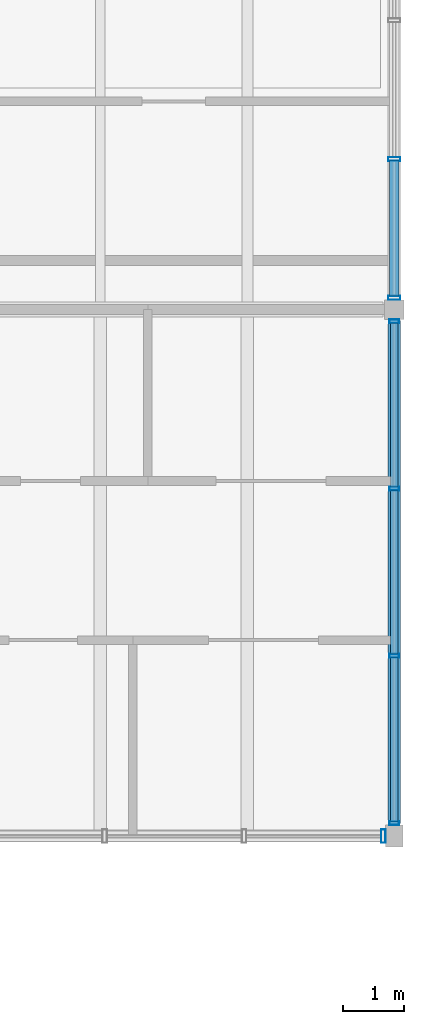
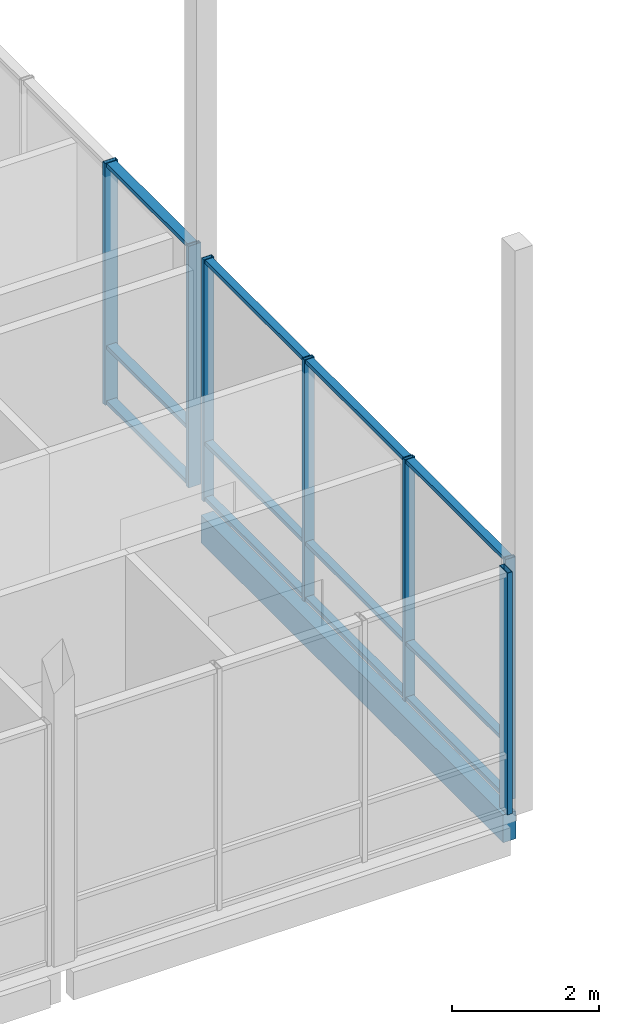
# One storey, part 65 of 115: 19 members, 1 beam, 3 elements without a shape of their own.
"""IFC4 building model written with IfcOpenShell, lengths in metres."""

from ifc_helpers import new_model, si_unit, direction, frame, origin, origin_2d, place, context, subcontext, project, spatial, rectangle, hollow_rectangle, extrude, material, material_profile, profile_set, type_object, element, aggregate, save


model = new_model("IFC4")

# Units and contexts
model_context = context("Model", 3, precision=1e-05, world=origin(), true_north=direction((0.0, 1.0)))
body_context = subcontext(model_context, "Body", "Model", "MODEL_VIEW")
ifc_project = project(units=[si_unit("LENGTHUNIT", "METRE"), si_unit("AREAUNIT", "SQUARE_METRE"), si_unit("VOLUMEUNIT", "CUBIC_METRE"), si_unit("PLANEANGLEUNIT", "RADIAN"), si_unit("MASSUNIT", "GRAM", prefix="KILO")], contexts=[model_context])

# Site, building, storey
site_placement = place(None, origin())
site = spatial("IfcSite", under=ifc_project, at=site_placement, CompositionType="ELEMENT")
building_placement = place(site_placement, origin())
building = spatial("IfcBuilding", under=site, at=building_placement, Name="Hawrajan Terrace Health Centre", CompositionType="ELEMENT")
storey_placement = place(building_placement, frame((0.0, 0.0, 9.0)))
storey = spatial("IfcBuildingStorey", under=building, at=storey_placement, Name="L02", CompositionType="ELEMENT", Elevation=9.0)

# Curtain wall, members
ifc_material_1 = material(Name="Anodized bronze aluminium and low-E solar glazing", Category="aluminium")
curtain_wall_type_1 = type_object("IfcCurtainWallType", Name="CW_Pavilion_SeriesE1", PredefinedType="USERDEFINED", material=ifc_material_1)
curtain_wall_1_placement = place(storey_placement, origin())
curtain_wall_1 = element("IfcCurtainWall", 1, at=curtain_wall_1_placement, inside=storey, type_object=curtain_wall_type_1, Name="Curtain wall CW-L02-156", ObjectType="UNITISED CURTAIN WALL", PredefinedType="USERDEFINED")
ifc_material_2 = material(Name="Anodized bronze aluminium 6063-T6", Category="aluminium")
ifc_material_profile_1 = material_profile(ifc_material_2, hollow_rectangle(XDim=0.06494140625, YDim=0.159912109375, WallThickness=0.00390625, at=origin_2d()), Name="CW MUL 65x160")
ifc_profile_set_1 = profile_set([ifc_material_profile_1], Name="Anodized bronze aluminium 6063-T6")
member_type_1 = type_object("IfcMemberType", Name="CWMullion_65x160", PredefinedType="MULLION", material=ifc_profile_set_1)
member_1_placement = place(storey_placement, frame((165.39990234375, 37.012451171875, -0.0048828125), z_axis=(0.0, 0.0, 1.0), x_axis=(0.0, 1.0, 0.0)))
member_1 = element("IfcMember", 2, at=member_1_placement, type_object=member_type_1, Name="Mullion CW-L02-156-M1", PredefinedType="MULLION", context=body_context, shape_type="SweptSolid", body=[
    extrude(hollow_rectangle(XDim=0.06494140625, YDim=0.159912109375, WallThickness=0.00390625, at=origin_2d()), origin(), (0.0, 0.0, 1.0), 4.009765625),
])
member_2_placement = place(storey_placement, frame((165.39990234375, 39.744140625, -0.0048828125), z_axis=(0.0, 0.0, 1.0), x_axis=(0.0, 1.0, 0.0)))
member_2 = element("IfcMember", 3, at=member_2_placement, type_object=member_type_1, Name="Mullion CW-L02-156-M2", PredefinedType="MULLION", context=body_context, shape_type="SweptSolid", body=[
    extrude(hollow_rectangle(XDim=0.06494140625, YDim=0.159912109375, WallThickness=0.00390625, at=origin_2d()), origin(), (0.0, 0.0, 1.0), 4.009765625),
])
member_3_placement = place(storey_placement, frame((165.39990234375, 42.475830078125, -0.0048828125), z_axis=(0.0, 0.0, 1.0), x_axis=(0.0, 1.0, 0.0)))
member_3 = element("IfcMember", 4, at=member_3_placement, type_object=member_type_1, Name="Mullion CW-L02-156-M3", PredefinedType="MULLION", context=body_context, shape_type="SweptSolid", body=[
    extrude(hollow_rectangle(XDim=0.06494140625, YDim=0.159912109375, WallThickness=0.00390625, at=origin_2d()), origin(), (0.0, 0.0, 1.0), 4.009765625),
])
member_4_placement = place(storey_placement, frame((165.39990234375, 45.20751953125, -0.0048828125), z_axis=(0.0, 0.0, 1.0), x_axis=(0.0, 1.0, 0.0)))
member_4 = element("IfcMember", 5, at=member_4_placement, type_object=member_type_1, Name="Mullion CW-L02-156-M4", PredefinedType="MULLION", context=body_context, shape_type="SweptSolid", body=[
    extrude(hollow_rectangle(XDim=0.06494140625, YDim=0.159912109375, WallThickness=0.00390625, at=origin_2d()), origin(), (0.0, 0.0, 1.0), 4.009765625),
])

curtain_wall_type_2 = type_object("IfcCurtainWallType", Name="CW_Pavilion_SeriesE2", PredefinedType="USERDEFINED", material=ifc_material_1)
curtain_wall_2_placement = place(storey_placement, origin())
curtain_wall_2 = element("IfcCurtainWall", 6, at=curtain_wall_2_placement, inside=storey, type_object=curtain_wall_type_2, Name="Curtain wall CW-L02-157", ObjectType="UNITISED CURTAIN WALL", PredefinedType="USERDEFINED")
ifc_material_profile_2 = material_profile(ifc_material_2, hollow_rectangle(XDim=0.06494140625, YDim=0.199951171875, WallThickness=0.00439453125, at=origin_2d()), Name="CW MUL 65x200")
ifc_profile_set_2 = profile_set([ifc_material_profile_2], Name="Anodized bronze aluminium 6063-T6")
member_type_2 = type_object("IfcMemberType", Name="CWMullion_65x200", PredefinedType="MULLION", material=ifc_profile_set_2)
member_5_placement = place(storey_placement, frame((165.39990234375, 45.592529296875, -0.0048828125), z_axis=(0.0, 0.0, 1.0), x_axis=(0.0, 1.0, 0.0)))
member_5 = element("IfcMember", 7, at=member_5_placement, type_object=member_type_2, Name="Mullion CW-L02-157-M1", PredefinedType="MULLION", context=body_context, shape_type="SweptSolid", body=[
    extrude(hollow_rectangle(XDim=0.06494140625, YDim=0.199951171875, WallThickness=0.00439453125, at=origin_2d()), origin(), (0.0, 0.0, 1.0), 4.009765625),
])
member_6_placement = place(storey_placement, frame((165.39990234375, 47.857421875, -0.0048828125), z_axis=(0.0, 0.0, 1.0), x_axis=(0.0, 1.0, 0.0)))
member_6 = element("IfcMember", 8, at=member_6_placement, type_object=member_type_2, Name="Mullion CW-L02-157-M2", PredefinedType="MULLION", context=body_context, shape_type="SweptSolid", body=[
    extrude(hollow_rectangle(XDim=0.06494140625, YDim=0.199951171875, WallThickness=0.00439453125, at=origin_2d()), origin(), (0.0, 0.0, 1.0), 4.009765625),
])

# Curtain wall, member
curtain_wall_type_3 = type_object("IfcCurtainWallType", Name="CW_Hall_SeriesD2", PredefinedType="USERDEFINED", material=ifc_material_1)
curtain_wall_3_placement = place(storey_placement, origin())
curtain_wall_3 = element("IfcCurtainWall", 9, at=curtain_wall_3_placement, inside=storey, type_object=curtain_wall_type_3, Name="Curtain wall CW-L02-155", ObjectType="UNITISED CURTAIN WALL", PredefinedType="USERDEFINED")
ifc_material_profile_3 = material_profile(ifc_material_2, hollow_rectangle(XDim=0.074951171875, YDim=0.219970703125, WallThickness=0.0048828125, at=origin_2d()), Name="CW MUL 75x220")
ifc_profile_set_3 = profile_set([ifc_material_profile_3], Name="Anodized bronze aluminium 6063-T6")
member_type_3 = type_object("IfcMemberType", Name="CWMullion_75x220", PredefinedType="MULLION", material=ifc_profile_set_3)
member_7_placement = place(storey_placement, frame((165.222412109375, 36.800048828125, -0.0048828125), z_axis=(0.0, 0.0, 1.0), x_axis=(1.0, 0.0, 0.0)))
member_7 = element("IfcMember", 10, at=member_7_placement, type_object=member_type_3, Name="Mullion CW-L02-155-M4", PredefinedType="MULLION", context=body_context, shape_type="SweptSolid", body=[
    extrude(hollow_rectangle(XDim=0.074951171875, YDim=0.219970703125, WallThickness=0.0048828125, at=origin_2d()), origin(), (0.0, 0.0, 1.0), 4.009765625),
])
aggregate(curtain_wall_3, [member_7])

# Member
ifc_material_profile_4 = material_profile(ifc_material_2, hollow_rectangle(XDim=0.06494140625, YDim=0.1201171875, WallThickness=0.00341796875, at=origin_2d()), Name="CW TRN 65x120")
ifc_profile_set_4 = profile_set([ifc_material_profile_4], Name="Anodized bronze aluminium 6063-T6")
member_type_4 = type_object("IfcMemberType", Name="CWTransom_65x120", PredefinedType="USERDEFINED", material=ifc_profile_set_4)
member_8_placement = place(storey_placement, frame((165.39990234375, 37.0390625, 0.032470703125), z_axis=(0.0, 1.0, 0.0), x_axis=(0.0, 0.0, 1.0)))
member_8 = element("IfcMember", 11, at=member_8_placement, type_object=member_type_4, Name="Transom CW-L02-156-T1-1", ObjectType="TRANSOM", PredefinedType="USERDEFINED", context=body_context, shape_type="SweptSolid", body=[
    extrude(hollow_rectangle(XDim=0.06494140625, YDim=0.1201171875, WallThickness=0.00341796875, at=origin_2d()), origin(), (0.0, 0.0, 1.0), 2.6787109375),
])

member_9_placement = place(storey_placement, frame((165.39990234375, 37.0390625, 0.949951171875), z_axis=(0.0, 1.0, 0.0), x_axis=(0.0, 0.0, 1.0)))
member_9 = element("IfcMember", 12, at=member_9_placement, type_object=member_type_4, Name="Transom CW-L02-156-T1-2", ObjectType="TRANSOM", PredefinedType="USERDEFINED", context=body_context, shape_type="SweptSolid", body=[
    extrude(hollow_rectangle(XDim=0.06494140625, YDim=0.1201171875, WallThickness=0.00341796875, at=origin_2d()), origin(), (0.0, 0.0, 1.0), 2.6787109375),
])

member_10_placement = place(storey_placement, frame((165.39990234375, 37.0390625, 3.967529296875), z_axis=(0.0, 1.0, 0.0), x_axis=(0.0, 0.0, 1.0)))
member_10 = element("IfcMember", 13, at=member_10_placement, type_object=member_type_4, Name="Transom CW-L02-156-T1-3", ObjectType="TRANSOM", PredefinedType="USERDEFINED", context=body_context, shape_type="SweptSolid", body=[
    extrude(hollow_rectangle(XDim=0.06494140625, YDim=0.1201171875, WallThickness=0.00341796875, at=origin_2d()), origin(), (0.0, 0.0, 1.0), 2.6787109375),
])

member_11_placement = place(storey_placement, frame((165.39990234375, 39.770751953125, 0.032470703125), z_axis=(0.0, 1.0, 0.0), x_axis=(0.0, 0.0, 1.0)))
member_11 = element("IfcMember", 14, at=member_11_placement, type_object=member_type_4, Name="Transom CW-L02-156-T2-1", ObjectType="TRANSOM", PredefinedType="USERDEFINED", context=body_context, shape_type="SweptSolid", body=[
    extrude(hollow_rectangle(XDim=0.06494140625, YDim=0.1201171875, WallThickness=0.00341796875, at=origin_2d()), origin(), (0.0, 0.0, 1.0), 2.678466796875),
])

member_12_placement = place(storey_placement, frame((165.39990234375, 39.770751953125, 0.949951171875), z_axis=(0.0, 1.0, 0.0), x_axis=(0.0, 0.0, 1.0)))
member_12 = element("IfcMember", 15, at=member_12_placement, type_object=member_type_4, Name="Transom CW-L02-156-T2-2", ObjectType="TRANSOM", PredefinedType="USERDEFINED", context=body_context, shape_type="SweptSolid", body=[
    extrude(hollow_rectangle(XDim=0.06494140625, YDim=0.1201171875, WallThickness=0.00341796875, at=origin_2d()), origin(), (0.0, 0.0, 1.0), 2.678466796875),
])

member_13_placement = place(storey_placement, frame((165.39990234375, 39.770751953125, 3.967529296875), z_axis=(0.0, 1.0, 0.0), x_axis=(0.0, 0.0, 1.0)))
member_13 = element("IfcMember", 16, at=member_13_placement, type_object=member_type_4, Name="Transom CW-L02-156-T2-3", ObjectType="TRANSOM", PredefinedType="USERDEFINED", context=body_context, shape_type="SweptSolid", body=[
    extrude(hollow_rectangle(XDim=0.06494140625, YDim=0.1201171875, WallThickness=0.00341796875, at=origin_2d()), origin(), (0.0, 0.0, 1.0), 2.678466796875),
])

member_14_placement = place(storey_placement, frame((165.39990234375, 42.502197265625, 0.032470703125), z_axis=(0.0, 1.0, 0.0), x_axis=(0.0, 0.0, 1.0)))
member_14 = element("IfcMember", 17, at=member_14_placement, type_object=member_type_4, Name="Transom CW-L02-156-T3-1", ObjectType="TRANSOM", PredefinedType="USERDEFINED", context=body_context, shape_type="SweptSolid", body=[
    extrude(hollow_rectangle(XDim=0.06494140625, YDim=0.1201171875, WallThickness=0.00341796875, at=origin_2d()), origin(), (0.0, 0.0, 1.0), 2.6787109375),
])

member_15_placement = place(storey_placement, frame((165.39990234375, 42.502197265625, 0.949951171875), z_axis=(0.0, 1.0, 0.0), x_axis=(0.0, 0.0, 1.0)))
member_15 = element("IfcMember", 18, at=member_15_placement, type_object=member_type_4, Name="Transom CW-L02-156-T3-2", ObjectType="TRANSOM", PredefinedType="USERDEFINED", context=body_context, shape_type="SweptSolid", body=[
    extrude(hollow_rectangle(XDim=0.06494140625, YDim=0.1201171875, WallThickness=0.00341796875, at=origin_2d()), origin(), (0.0, 0.0, 1.0), 2.6787109375),
])

member_16_placement = place(storey_placement, frame((165.39990234375, 42.502197265625, 3.967529296875), z_axis=(0.0, 1.0, 0.0), x_axis=(0.0, 0.0, 1.0)))
member_16 = element("IfcMember", 19, at=member_16_placement, type_object=member_type_4, Name="Transom CW-L02-156-T3-3", ObjectType="TRANSOM", PredefinedType="USERDEFINED", context=body_context, shape_type="SweptSolid", body=[
    extrude(hollow_rectangle(XDim=0.06494140625, YDim=0.1201171875, WallThickness=0.00341796875, at=origin_2d()), origin(), (0.0, 0.0, 1.0), 2.6787109375),
])

aggregate(curtain_wall_1, [member_1, member_2, member_3, member_4, member_8, member_9, member_10, member_11, member_12, member_13, member_14, member_15, member_16])

ifc_material_profile_5 = material_profile(ifc_material_2, hollow_rectangle(XDim=0.06494140625, YDim=0.14990234375, WallThickness=0.00390625, at=origin_2d()), Name="CW TRN 65x150")
ifc_profile_set_5 = profile_set([ifc_material_profile_5], Name="Anodized bronze aluminium 6063-T6")
member_type_5 = type_object("IfcMemberType", Name="CWTransom_65x150", PredefinedType="USERDEFINED", material=ifc_profile_set_5)
member_17_placement = place(storey_placement, frame((165.39990234375, 45.618896484375, 0.032470703125), z_axis=(0.0, 1.0, 0.0), x_axis=(0.0, 0.0, 1.0)))
member_17 = element("IfcMember", 20, at=member_17_placement, type_object=member_type_5, Name="Transom CW-L02-157-T1-1", ObjectType="TRANSOM", PredefinedType="USERDEFINED", context=body_context, shape_type="SweptSolid", body=[
    extrude(hollow_rectangle(XDim=0.06494140625, YDim=0.14990234375, WallThickness=0.00390625, at=origin_2d()), origin(), (0.0, 0.0, 1.0), 2.212158203125),
])

member_18_placement = place(storey_placement, frame((165.39990234375, 45.618896484375, 0.949951171875), z_axis=(0.0, 1.0, 0.0), x_axis=(0.0, 0.0, 1.0)))
member_18 = element("IfcMember", 21, at=member_18_placement, type_object=member_type_5, Name="Transom CW-L02-157-T1-2", ObjectType="TRANSOM", PredefinedType="USERDEFINED", context=body_context, shape_type="SweptSolid", body=[
    extrude(hollow_rectangle(XDim=0.06494140625, YDim=0.14990234375, WallThickness=0.00390625, at=origin_2d()), origin(), (0.0, 0.0, 1.0), 2.212158203125),
])

member_19_placement = place(storey_placement, frame((165.39990234375, 45.618896484375, 3.967529296875), z_axis=(0.0, 1.0, 0.0), x_axis=(0.0, 0.0, 1.0)))
member_19 = element("IfcMember", 22, at=member_19_placement, type_object=member_type_5, Name="Transom CW-L02-157-T1-3", ObjectType="TRANSOM", PredefinedType="USERDEFINED", context=body_context, shape_type="SweptSolid", body=[
    extrude(hollow_rectangle(XDim=0.06494140625, YDim=0.14990234375, WallThickness=0.00390625, at=origin_2d()), origin(), (0.0, 0.0, 1.0), 2.212158203125),
])

aggregate(curtain_wall_2, [member_5, member_6, member_17, member_18, member_19])

# Beam
ifc_material_3 = material(Name="Glulam GL32h", Category="wood")
ifc_material_profile_6 = material_profile(ifc_material_3, rectangle(XDim=0.199951171875, YDim=0.4599609375, at=origin_2d()), Name="GL SP 200x460")
ifc_profile_set_6 = profile_set([ifc_material_profile_6], Name="Glulam GL32h")
beam_type = type_object("IfcBeamType", Name="GlulamSpandrel_200x460", PredefinedType="SPANDREL", material=ifc_profile_set_6)
beam_placement = place(storey_placement, frame((165.39990234375, 37.010009765625, -0.469970703125), z_axis=(0.0, 1.0, 0.0), x_axis=(-1.0, 0.0, 0.0)))
element("IfcBeam", 23, at=beam_placement, inside=storey, type_object=beam_type, Name="Beam BM-Y-L02-E-X22-5", PredefinedType="SPANDREL", context=body_context, shape_type="SweptSolid", body=[
    extrude(rectangle(XDim=0.199951171875, YDim=0.4599609375, at=origin_2d()), origin(), (0.0, 0.0, 1.0), 8.2099609375),
])

save(model, "model.ifc")
